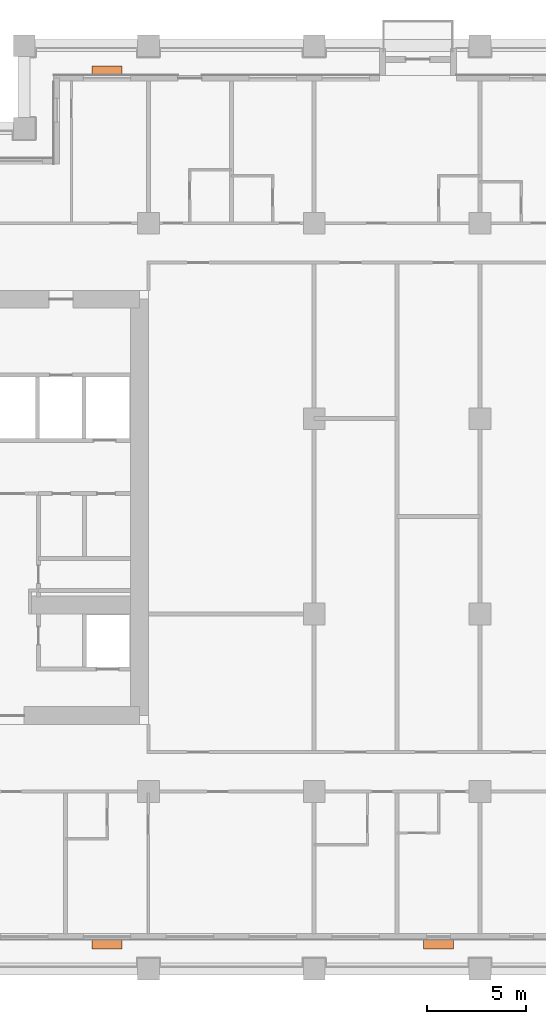
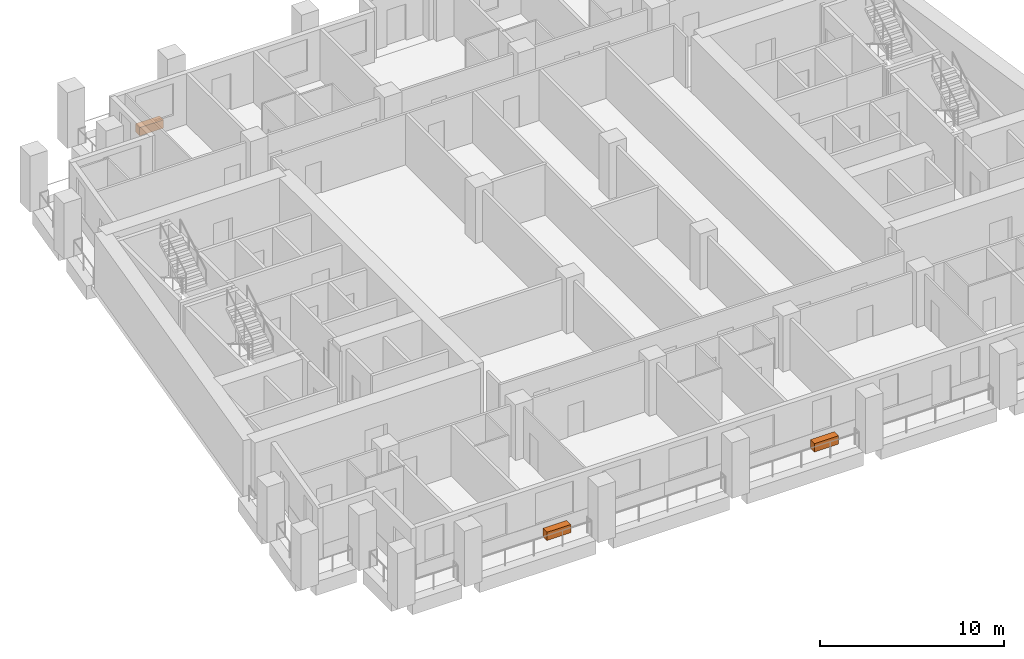
# One storey, part 13 of 13: 3 proxies.
"""IFC4 building model written with IfcOpenShell, lengths in metres."""

from ifc_helpers import new_model, si_unit, direction, frame, origin, origin_2d, place, context, subcontext, project, spatial, rectangle, extrude, element, save


model = new_model("IFC4")

# Units and contexts
model_context = context("Model", 3, precision=1e-05, world=origin(), true_north=direction((0.0, 1.0)))
body_context = subcontext(model_context, "Body", "Model", "MODEL_VIEW")
ifc_project = project(units=[si_unit("LENGTHUNIT", "METRE"), si_unit("AREAUNIT", "SQUARE_METRE"), si_unit("VOLUMEUNIT", "CUBIC_METRE"), si_unit("PLANEANGLEUNIT", "RADIAN"), si_unit("MASSUNIT", "GRAM", prefix="KILO")], contexts=[model_context])

# Site, building, storey
site_placement = place(None, origin())
site = spatial("IfcSite", under=ifc_project, at=site_placement, CompositionType="ELEMENT")
building_placement = place(site_placement, origin())
building = spatial("IfcBuilding", under=site, at=building_placement, Name="Candeia Pilgrim Tower and Theatre", CompositionType="ELEMENT")
storey_placement = place(building_placement, frame((0.0, 0.0, 158.89990234375)))
storey = spatial("IfcBuildingStorey", under=building, at=storey_placement, Name="L37", CompositionType="ELEMENT", Elevation=158.89990234375)

# Proxies
for number, where, z_axis, x_axis, name in (
    (1, (98.699951171875, 99.2548828125, 0.0), (0.0, 0.0, 1.0), (1.0, 0.0, 0.0), "Planter"),
    (2, (115.5, 99.2548828125, 0.0), (0.0, 0.0, 1.0), (1.0, 0.0, 0.0), "Planter"),
    (3, (98.699951171875, 143.544921875, 0.0), (0.0, 0.0, 1.0), (-1.0, 0.0, 0.0), "Planter"),
):
    element("IfcBuildingElementProxy", number, at=place(storey_placement, frame(where, z_axis=z_axis, x_axis=x_axis)), inside=storey, Name=name, ObjectType="PLANTER", PredefinedType="USERDEFINED", context=body_context, shape_type="SweptSolid", body=[
        extrude(rectangle(XDim=1.5, YDim=0.449951171875, at=origin_2d()), origin(), (0.0, 0.0, 1.0), 0.550048828125),
    ])

save(model, "model.ifc")
